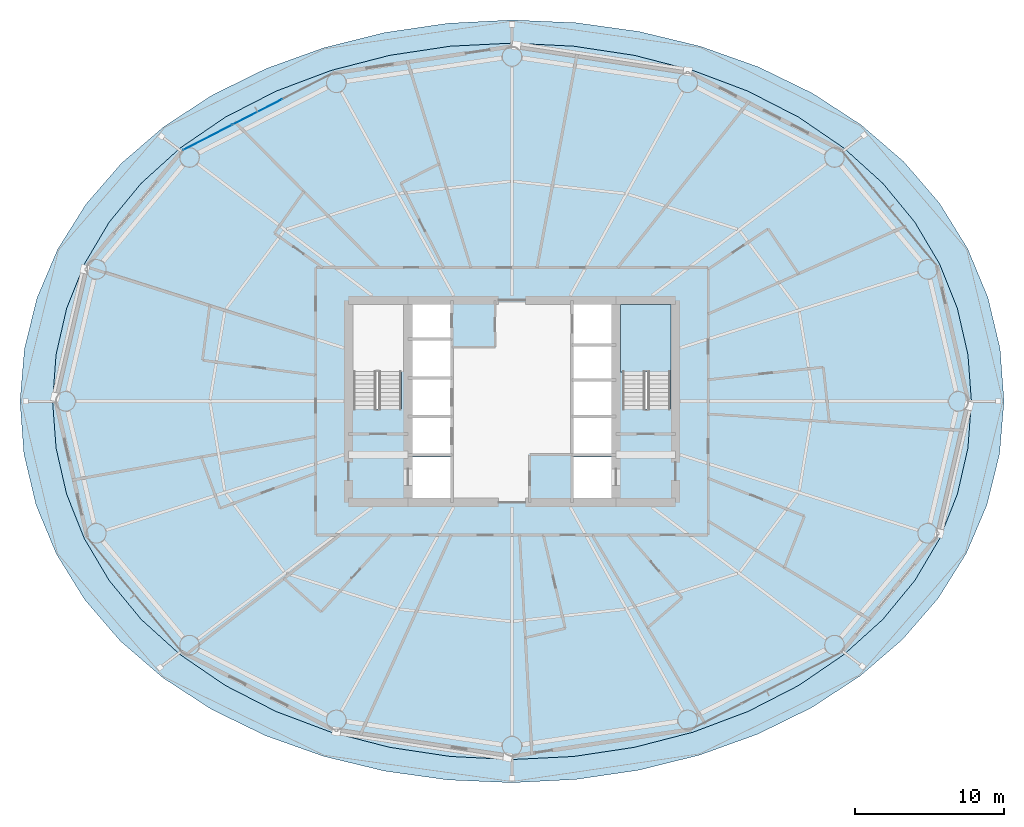
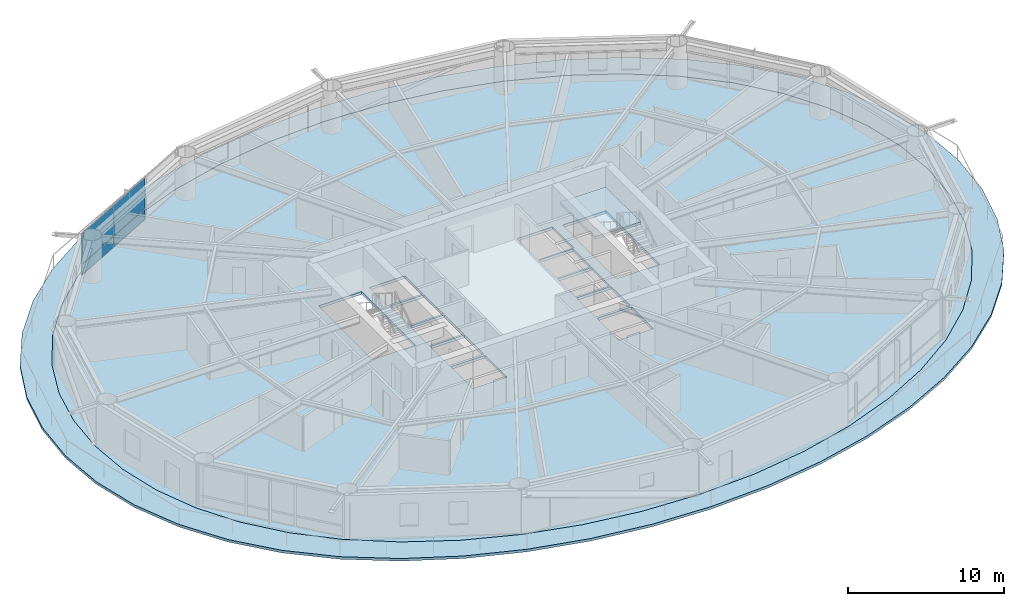
# One storey, part 17 of 26: 4 plates, 3 slabs, 2 elements without a shape of their own.
"""IFC4 building model written with IfcOpenShell, lengths in metres."""

from ifc_helpers import new_model, si_unit, direction, frame, origin, origin_2d, place, context, subcontext, project, spatial, polyline, rectangle, outline, extrude, material, layer, layer_set, type_object, element, aggregate, save


model = new_model("IFC4")

# Units and contexts
model_context = context("Model", 3, precision=1e-05, world=origin(), true_north=direction((0.0, 1.0)))
body_context = subcontext(model_context, "Body", "Model", "MODEL_VIEW")
ifc_project = project(units=[si_unit("LENGTHUNIT", "METRE"), si_unit("AREAUNIT", "SQUARE_METRE"), si_unit("VOLUMEUNIT", "CUBIC_METRE"), si_unit("PLANEANGLEUNIT", "RADIAN"), si_unit("MASSUNIT", "GRAM", prefix="KILO")], contexts=[model_context])

# Site, building, storey
site_placement = place(None, origin())
site = spatial("IfcSite", under=ifc_project, at=site_placement, CompositionType="ELEMENT")
building_placement = place(site_placement, origin())
building = spatial("IfcBuilding", under=site, at=building_placement, Name="Sarneth Arch Tower", CompositionType="ELEMENT")
storey_placement = place(building_placement, frame((0.0, 0.0, 49.800048828125)))
storey = spatial("IfcBuildingStorey", under=building, at=storey_placement, Name="L11", CompositionType="ELEMENT", Elevation=49.800048828125)

# Curtain wall, plates
ifc_material_1 = material(Name="Anodised aluminium Type AA25 and solar-control low-e laminated IGU", Category="aluminium")
ifc_layer_1 = layer(ifc_material_1, 0.159912109375)
ifc_layer_set_1 = layer_set([ifc_layer_1], Name="Anodised aluminium Type AA25 and solar-control low-e laminated IGU")
curtain_wall_type = type_object("IfcCurtainWallType", Name="CW-HOTEL-LOW", PredefinedType="NOTDEFINED", material=ifc_layer_set_1)
curtain_wall_placement = place(storey_placement, origin())
curtain_wall = element("IfcCurtainWall", 1, at=curtain_wall_placement, inside=storey, type_object=curtain_wall_type, Name="L11 Unitised curtain wall facet 06", PredefinedType="NOTDEFINED")
ifc_material_2 = material(Name="Solar-control low-e laminated IGU", Category="glass")
ifc_layer_2 = layer(ifc_material_2, 0.028076171875)
ifc_layer_set_2 = layer_set([ifc_layer_2], Name="Solar-control low-e laminated IGU")
plate_type = type_object("IfcPlateType", Name="CW-PANEL", PredefinedType="CURTAIN_PANEL", material=ifc_layer_set_2)
plate_1_placement = place(storey_placement, frame((30.8740234375, 61.473876953125, 0.059814453125), z_axis=(0.0, 0.0, 1.0), x_axis=(-0.889854100456, -0.456245197127, 0.0)))
plate_1 = element("IfcPlate", 2, at=plate_1_placement, type_object=plate_type, Name="Curtain wall glazed vision pane CW-L11-F06/P01-00", PredefinedType="CURTAIN_PANEL", context=body_context, shape_type="SweptSolid", body=[
    extrude(rectangle(XDim=3.721923828125, YDim=0.028076171875, at=origin_2d()), origin(), (0.0, 0.0, 1.0), 0.81005859375),
])
plate_2_placement = place(storey_placement, frame((30.8740234375, 61.473876953125, 0.93017578125), z_axis=(0.0, 0.0, 1.0), x_axis=(-0.889854100456, -0.456245197127, 0.0)))
plate_2 = element("IfcPlate", 3, at=plate_2_placement, type_object=plate_type, Name="Curtain wall glazed vision pane CW-L11-F06/P01-01", PredefinedType="CURTAIN_PANEL", context=body_context, shape_type="SweptSolid", body=[
    extrude(rectangle(XDim=3.721923828125, YDim=0.028076171875, at=origin_2d()), origin(), (0.0, 0.0, 1.0), 2.389892578125),
])
plate_3_placement = place(storey_placement, frame((27.52197265625, 59.75537109375, 0.059814453125), z_axis=(0.0, 0.0, 1.0), x_axis=(-0.889854100456, -0.456245197127, 0.0)))
plate_3 = element("IfcPlate", 4, at=plate_3_placement, type_object=plate_type, Name="Curtain wall glazed vision pane CW-L11-F06/P02-00", PredefinedType="CURTAIN_PANEL", context=body_context, shape_type="SweptSolid", body=[
    extrude(rectangle(XDim=3.69189453125, YDim=0.028076171875, at=origin_2d()), origin(), (0.0, 0.0, 1.0), 0.81005859375),
])
plate_4_placement = place(storey_placement, frame((27.52197265625, 59.75537109375, 0.93017578125), z_axis=(0.0, 0.0, 1.0), x_axis=(-0.889854100456, -0.456245197127, 0.0)))
plate_4 = element("IfcPlate", 5, at=plate_4_placement, type_object=plate_type, Name="Curtain wall glazed vision pane CW-L11-F06/P02-01", PredefinedType="CURTAIN_PANEL", context=body_context, shape_type="SweptSolid", body=[
    extrude(rectangle(XDim=3.69189453125, YDim=0.028076171875, at=origin_2d()), origin(), (0.0, 0.0, 1.0), 2.389892578125),
])
aggregate(curtain_wall, [plate_1, plate_2, plate_3, plate_4])

# Slab
ifc_material_3 = material(Name="Concrete C50/60", Category="concrete")
ifc_layer_3 = layer(ifc_material_3, 0.199951171875)
ifc_layer_set_3 = layer_set([ifc_layer_3], Name="Concrete C50/60")
slab_type_1 = type_object("IfcSlabType", Name="SLAB-BALC-200", PredefinedType="FLOOR", material=ifc_layer_set_3)
slab_1_placement = place(storey_placement, frame((0.0, 0.0, -0.199951171875)))
element("IfcSlab", 6, at=slab_1_placement, inside=storey, type_object=slab_type_1, Name="L11 Helical balcony band slab", PredefinedType="FLOOR", context=body_context, shape_type="SweptSolid", body=[
    extrude(outline(polyline([(81.1025390625, 42.0), (80.84033203125, 45.5322265625), (80.021240234375, 48.981689453125), (78.655517578125, 52.26904296875), (76.760498046875, 55.330810546875), (74.362060546875, 58.1181640625), (71.49658203125, 60.593505859375), (68.215576171875, 62.7275390625), (64.58251953125, 64.497314453125), (60.67041015625, 65.8857421875), (56.554443359375, 66.879638671875), (52.30810546875, 67.471435546875), (48.0, 67.656982421875), (43.6953125, 67.4365234375), (39.458984375, 66.8134765625), (35.3583984375, 65.79443359375), (31.46435546875, 64.39013671875), (27.849853515625, 62.614501953125), (24.58447265625, 60.4853515625), (21.729248046875, 58.024658203125), (19.33203125, 55.259033203125), (17.427978515625, 52.222412109375), (16.04248046875, 48.958740234375), (15.194091796875, 45.526123046875), (14.8974609375, 42.0), (15.15966796875, 38.4677734375), (15.978759765625, 35.018310546875), (17.344482421875, 31.73095703125), (19.239501953125, 28.669189453125), (21.637939453125, 25.8818359375), (24.50341796875, 23.406494140625), (27.784423828125, 21.2724609375), (31.41748046875, 19.502685546875), (35.32958984375, 18.1142578125), (39.445556640625, 17.120361328125), (43.69189453125, 16.528564453125), (48.0, 16.343017578125), (52.3046875, 16.5634765625), (56.541015625, 17.1865234375), (60.6416015625, 18.20556640625), (64.53564453125, 19.60986328125), (68.150146484375, 21.385498046875), (71.41552734375, 23.5146484375), (74.270751953125, 25.975341796875), (76.66796875, 28.740966796875), (78.572021484375, 31.777587890625), (79.95751953125, 35.041259765625), (80.805908203125, 38.473876953125), (81.1025390625, 42.0)]), holes=[polyline([(78.90966796875, 42.0), (78.675048828125, 45.145751953125), (77.9677734375, 48.237548828125), (76.780029296875, 51.22265625), (75.10595703125, 54.050048828125), (72.94873046875, 56.671142578125), (70.32861328125, 59.041259765625), (67.2841796875, 61.119873046875), (63.8720703125, 62.87109375), (60.162109375, 64.265380859375), (56.2294921875, 65.27880859375), (52.150634765625, 65.893798828125), (48.0, 66.10009765625), (43.849365234375, 65.893798828125), (39.7705078125, 65.27880859375), (35.837890625, 64.265380859375), (32.1279296875, 62.87109375), (28.7158203125, 61.119873046875), (25.67138671875, 59.041259765625), (23.05126953125, 56.671142578125), (20.89404296875, 54.050048828125), (19.219970703125, 51.22265625), (18.0322265625, 48.237548828125), (17.324951171875, 45.145751953125), (17.09033203125, 42.0), (17.324951171875, 38.854248046875), (18.0322265625, 35.762451171875), (19.219970703125, 32.77734375), (20.89404296875, 29.949951171875), (23.05126953125, 27.328857421875), (25.67138671875, 24.958740234375), (28.7158203125, 22.880126953125), (32.1279296875, 21.12890625), (35.837890625, 19.734619140625), (39.7705078125, 18.72119140625), (43.849365234375, 18.106201171875), (48.0, 17.89990234375), (52.150634765625, 18.106201171875), (56.2294921875, 18.72119140625), (60.162109375, 19.734619140625), (63.8720703125, 21.12890625), (67.2841796875, 22.880126953125), (70.32861328125, 24.958740234375), (72.94873046875, 27.328857421875), (75.10595703125, 29.949951171875), (76.780029296875, 32.77734375), (77.9677734375, 35.762451171875), (78.675048828125, 38.854248046875), (78.90966796875, 42.0)])]), origin(), (0.0, 0.0, 1.0), 0.199951171875),
])

# Stair, slab
ifc_material_4 = material(Name="Concrete C50/60", Category="concrete")
stair_type = type_object("IfcStairType", Name="STAIR-CORE-RC", PredefinedType="HALF_TURN_STAIR", material=ifc_material_4)
stair_placement = place(storey_placement, origin())
stair = element("IfcStair", 7, at=stair_placement, inside=storey, type_object=stair_type, Name="L11 Core Exit Stair 2", PredefinedType="HALF_TURN_STAIR")
ifc_material_5 = material(Name="Concrete C50/60", Category="concrete")
ifc_layer_4 = layer(ifc_material_5, 0.199951171875)
ifc_layer_set_4 = layer_set([ifc_layer_4], Name="Concrete C50/60")
slab_type_2 = type_object("IfcSlabType", Name="SLAB-LANDING-200", PredefinedType="LANDING", material=ifc_layer_set_4)
slab_2_placement = place(storey_placement, frame((0.0, 0.0, 1.599853515625)))
slab_2 = element("IfcSlab", 8, at=slab_2_placement, type_object=slab_type_2, Name="ST-2 landing 1", PredefinedType="LANDING", context=body_context, shape_type="SweptSolid", body=[
    extrude(outline(polyline([(55.300048828125, 43.985107421875), (58.699951171875, 43.985107421875), (58.699951171875, 48.5), (55.300048828125, 48.5), (55.300048828125, 43.985107421875)])), origin(), (0.0, 0.0, 1.0), 0.2001953125),
])
aggregate(stair, [slab_2])

# Slab
ifc_material_6 = material(Name="Concrete C50/60", Category="concrete")
ifc_layer_5 = layer(ifc_material_6, 0.219970703125)
ifc_layer_set_5 = layer_set([ifc_layer_5], Name="Concrete C50/60")
slab_type_3 = type_object("IfcSlabType", Name="SLAB-TOWER-220", PredefinedType="FLOOR", material=ifc_layer_set_5)
slab_3_placement = place(storey_placement, frame((0.0, 0.0, -0.219970703125)))
element("IfcSlab", 9, at=slab_3_placement, inside=storey, type_object=slab_type_3, Name="L11 Elliptical floor slab", PredefinedType="FLOOR", context=body_context, shape_type="SweptSolid", body=[
    extrude(outline(polyline([(78.90966796875, 42.0), (78.675048828125, 45.145751953125), (77.9677734375, 48.237548828125), (76.780029296875, 51.22265625), (75.10595703125, 54.050048828125), (72.94873046875, 56.671142578125), (70.32861328125, 59.041259765625), (67.2841796875, 61.119873046875), (63.8720703125, 62.87109375), (60.162109375, 64.265380859375), (56.2294921875, 65.27880859375), (52.150634765625, 65.893798828125), (48.0, 66.10009765625), (43.849365234375, 65.893798828125), (39.7705078125, 65.27880859375), (35.837890625, 64.265380859375), (32.1279296875, 62.87109375), (28.7158203125, 61.119873046875), (25.67138671875, 59.041259765625), (23.05126953125, 56.671142578125), (20.89404296875, 54.050048828125), (19.219970703125, 51.22265625), (18.0322265625, 48.237548828125), (17.324951171875, 45.145751953125), (17.09033203125, 42.0), (17.324951171875, 38.854248046875), (18.0322265625, 35.762451171875), (19.219970703125, 32.77734375), (20.89404296875, 29.949951171875), (23.05126953125, 27.328857421875), (25.67138671875, 24.958740234375), (28.7158203125, 22.880126953125), (32.1279296875, 21.12890625), (35.837890625, 19.734619140625), (39.7705078125, 18.72119140625), (43.849365234375, 18.106201171875), (48.0, 17.89990234375), (52.150634765625, 18.106201171875), (56.2294921875, 18.72119140625), (60.162109375, 19.734619140625), (63.8720703125, 21.12890625), (67.2841796875, 22.880126953125), (70.32861328125, 24.958740234375), (72.94873046875, 27.328857421875), (75.10595703125, 29.949951171875), (76.780029296875, 32.77734375), (77.9677734375, 35.762451171875), (78.675048828125, 38.854248046875), (78.90966796875, 42.0)]), holes=[polyline([(37.35009765625, 41.489990234375), (40.550048828125, 41.489990234375), (40.550048828125, 48.39990234375), (37.35009765625, 48.39990234375), (37.35009765625, 41.489990234375)]), polyline([(55.449951171875, 41.489990234375), (58.64990234375, 41.489990234375), (58.64990234375, 48.39990234375), (55.449951171875, 48.39990234375), (55.449951171875, 41.489990234375)]), polyline([(41.199951171875, 46.25), (43.85009765625, 46.25), (43.85009765625, 48.550048828125), (41.199951171875, 48.550048828125), (41.199951171875, 46.25)]), polyline([(41.300048828125, 35.449951171875), (43.85009765625, 35.449951171875), (43.85009765625, 38.25), (41.300048828125, 38.25), (41.300048828125, 35.449951171875)]), polyline([(52.14990234375, 35.449951171875), (54.699951171875, 35.449951171875), (54.699951171875, 38.25), (52.14990234375, 38.25), (52.14990234375, 35.449951171875)]), polyline([(52.14990234375, 45.85009765625), (54.800048828125, 45.85009765625), (54.800048828125, 48.550048828125), (52.14990234375, 48.550048828125), (52.14990234375, 45.85009765625)]), polyline([(41.300048828125, 38.449951171875), (43.85009765625, 38.449951171875), (43.85009765625, 40.89990234375), (41.300048828125, 40.89990234375), (41.300048828125, 38.449951171875)]), polyline([(41.300048828125, 41.050048828125), (43.85009765625, 41.050048828125), (43.85009765625, 43.5), (41.300048828125, 43.5), (41.300048828125, 41.050048828125)]), polyline([(41.300048828125, 43.64990234375), (43.85009765625, 43.64990234375), (43.85009765625, 46.10009765625), (41.300048828125, 46.10009765625), (41.300048828125, 43.64990234375)]), polyline([(52.14990234375, 38.449951171875), (54.699951171875, 38.449951171875), (54.699951171875, 40.89990234375), (52.14990234375, 40.89990234375), (52.14990234375, 38.449951171875)]), polyline([(52.14990234375, 41.050048828125), (54.699951171875, 41.050048828125), (54.699951171875, 43.35009765625), (52.14990234375, 43.35009765625), (52.14990234375, 41.050048828125)]), polyline([(52.14990234375, 43.5), (54.699951171875, 43.5), (54.699951171875, 45.75), (52.14990234375, 45.75), (52.14990234375, 43.5)])]), origin(), (0.0, 0.0, 1.0), 0.219970703125),
])

save(model, "model.ifc")
